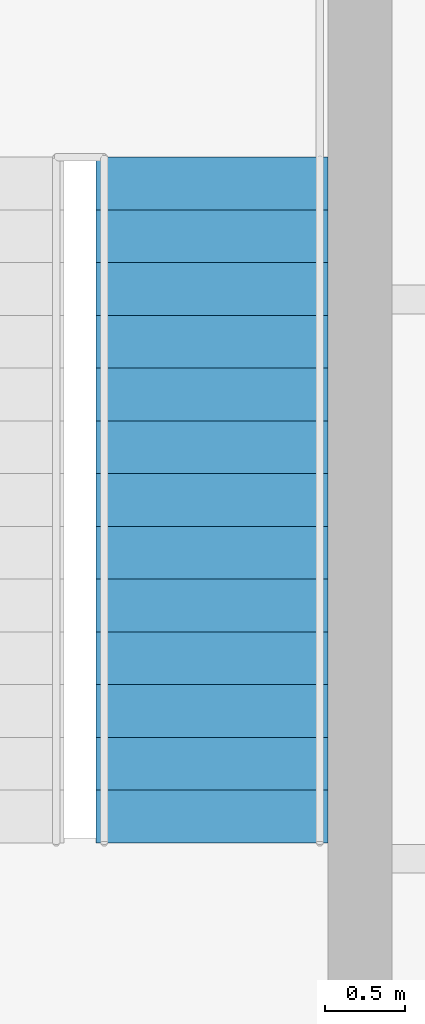
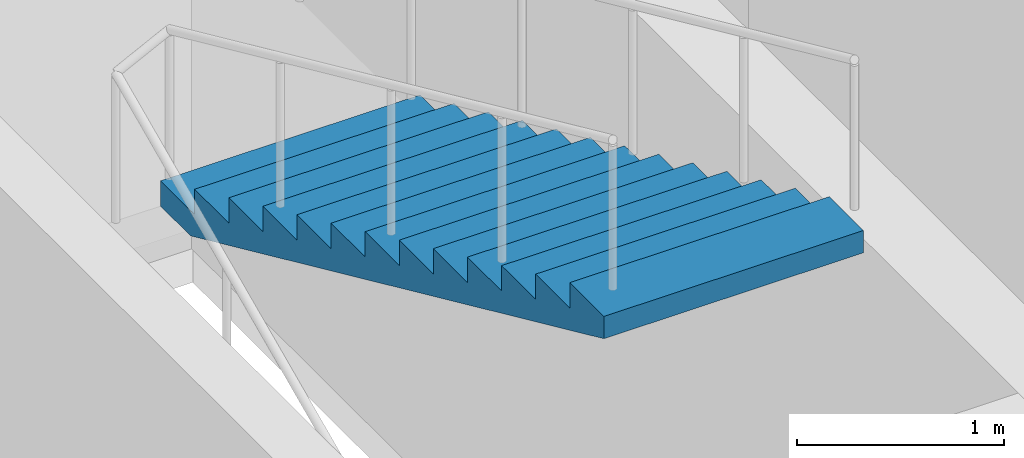
# One storey, part 9 of 10: 1 stair flight, 1 element without a shape of its own.
"""IFC4 building model written with IfcOpenShell, lengths in metres."""

import ifcopenshell
import ifcopenshell.guid

model = None  # the IFC model being written
_history = None  # IfcOwnerHistory: only IFC2X3 demands one
_inside = {}  # id of a spatial element -> (the spatial element, [elements in it])
_under = {}  # id of a project, library or spatial element -> (it, [spatial elements below it])
_declared = {}  # id of a project -> (the project, [libraries it declares])
_typed = {}  # id of a type object -> (the type object, [elements of that type])
_made_of = {}  # id of a material, layer set ... -> (it, [elements and type objects made of it])


def new_model(schema):
    """Start an empty IFC model of exactly this schema.

    Asked for "IFC4X3", IfcOpenShell would pick the latest addendum, in which some entities
    have other attributes; the version numbers below select the first issue.
    IFC2X3 requires an IfcOwnerHistory on every rooted entity: one is made here for all.
    """
    global model, _history
    if schema == "IFC4X3":
        model = ifcopenshell.file(schema_version=(4, 3, 0, 0))
    else:
        model = ifcopenshell.file(schema=schema)
    _inside.clear()
    _under.clear()
    _declared.clear()
    _typed.clear()
    _made_of.clear()
    _history = None
    if model.schema == "IFC2X3":
        org = make("IfcOrganization", Name="unknown")
        user = make(
            "IfcPersonAndOrganization",
            ThePerson=make("IfcPerson", FamilyName="unknown"),
            TheOrganization=org,
        )
        app = make(
            "IfcApplication",
            ApplicationDeveloper=org,
            Version="unknown",
            ApplicationFullName="unknown",
            ApplicationIdentifier="unknown",
        )
        _history = make(
            "IfcOwnerHistory",
            OwningUser=user,
            OwningApplication=app,
            ChangeAction="ADDED",
            CreationDate=0,
        )
    return model


def make(cls, **values):
    """One entity of the class cls with the attributes given. An attribute that is None is left unset."""
    return model.create_entity(
        cls, **{name: value for name, value in values.items() if value is not None}
    )


def rooted(cls, **values):
    """An entity with a GlobalId (a new one), such as an element, a storey or a relation."""
    return make(cls, GlobalId=ifcopenshell.guid.new(), OwnerHistory=_history, **values)


def si_unit(unit_type, name, prefix=None):
    """IfcSIUnit, for example si_unit("LENGTHUNIT", "METRE", prefix="MILLI")."""
    return make("IfcSIUnit", UnitType=unit_type, Prefix=prefix, Name=name)


def assignment(units):
    """IfcUnitAssignment: the units of a project."""
    return None if units is None else make("IfcUnitAssignment", Units=units)


def point(xyz):
    """IfcCartesianPoint."""
    return None if xyz is None else make("IfcCartesianPoint", Coordinates=xyz)


def direction(xyz):
    """IfcDirection."""
    return None if xyz is None else make("IfcDirection", DirectionRatios=xyz)


def frame(location, z_axis=None, x_axis=None):
    """IfcAxis2Placement3D, a coordinate frame: its origin and axes. An axis left out is left unset."""
    return make(
        "IfcAxis2Placement3D",
        Location=point(location),
        Axis=direction(z_axis),
        RefDirection=direction(x_axis),
    )


def origin():
    """The frame at (0, 0, 0) with its axes left unset."""
    return frame((0.0, 0.0, 0.0))


def place(relative_to, where):
    """IfcLocalPlacement: puts the frame where relative to a parent placement (None: the world)."""
    return make(
        "IfcLocalPlacement", PlacementRelTo=relative_to, RelativePlacement=where
    )


def context(
    kind, dimensions, precision=None, world=None, true_north=None, identifier=None
):
    """IfcGeometricRepresentationContext, for example the 3D "Model" context."""
    return make(
        "IfcGeometricRepresentationContext",
        ContextIdentifier=identifier,
        ContextType=kind,
        CoordinateSpaceDimension=dimensions,
        Precision=precision,
        WorldCoordinateSystem=world,
        TrueNorth=true_north,
    )


def subcontext(parent, identifier, kind, view, scale=None):
    """IfcGeometricRepresentationSubContext, for example "Body" below "Model"."""
    return make(
        "IfcGeometricRepresentationSubContext",
        ContextIdentifier=identifier,
        ContextType=kind,
        ParentContext=parent,
        TargetScale=scale,
        TargetView=view,
    )


def project(units=None, contexts=None):
    """IfcProject with its units and contexts."""
    return rooted(
        "IfcProject",
        Name="project",
        RepresentationContexts=contexts,
        UnitsInContext=assignment(units),
    )


def spatial(cls, under=None, at=None, **own):
    """A site, building, storey or space (cls), placed at a placement, below another one or the project."""
    s = rooted(cls, ObjectPlacement=at, **own)
    if under is not None:
        _under.setdefault(under.id(), (under, []))[1].append(s)
    return s


def point_list(points):
    """IfcCartesianPointList2D or 3D."""
    cls = (
        "IfcCartesianPointList2D" if len(points[0]) == 2 else "IfcCartesianPointList3D"
    )
    return make(cls, CoordList=points)


def polygons(points, faces, closed=None, point_numbers=None):
    """IfcPolygonalFaceSet: a face is its outer loop, then its inner loops; points numbered from 1."""
    made = []
    for loops in faces:
        if len(loops) == 1:
            made.append(make("IfcIndexedPolygonalFace", CoordIndex=loops[0]))
        else:
            made.append(
                make(
                    "IfcIndexedPolygonalFaceWithVoids",
                    CoordIndex=loops[0],
                    InnerCoordIndices=loops[1:],
                )
            )
    return make(
        "IfcPolygonalFaceSet",
        Coordinates=point_list(points),
        Closed=closed,
        Faces=made,
        PnIndex=point_numbers,
    )


def shape(context_of_items, identifier, shape_type, items):
    """IfcShapeRepresentation: the items that make up one representation, for example the "Body"."""
    return make(
        "IfcShapeRepresentation",
        ContextOfItems=context_of_items,
        RepresentationIdentifier=identifier,
        RepresentationType=shape_type,
        Items=items,
    )


def material(Name=None, Category=None):
    """IfcMaterial."""
    return make("IfcMaterial", Name=Name, Category=Category)


def made_of(thing, what):
    """Note that an element or type object is made of a material, layer set ...; save() writes the relation."""
    if what is not None:
        _made_of.setdefault(what.id(), (what, []))[1].append(thing)
    return thing


def type_object(cls, material=None, **own):
    """A type object (cls), such as IfcWallType, which elements share."""
    return made_of(rooted(cls, **own), material)


def element(
    cls,
    number,
    at=None,
    inside=None,
    cuts=None,
    type_object=None,
    material=None,
    context=None,
    identifier="Body",
    shape_type=None,
    held_by="IfcProductDefinitionShape",
    body=None,
    shapes=None,
    **own,
):
    """One element of the class cls, such as IfcWall. Its Tag is "e" and its number.

    at: its placement. inside: the storey or other place that contains it. cuts: it is an
    opening in that element (IfcRelVoidsElement). A single representation is given by context,
    identifier, shape_type and body (its items); several are given by shapes. held_by: the class
    of the entity that holds the representations. save() writes the other relations.
    """
    e = rooted(cls, Tag="e%d" % number, ObjectPlacement=at, **own)
    if body is not None:
        shapes = [shape(context, identifier, shape_type, body)]
    if shapes is not None:
        e.Representation = make(held_by, Representations=shapes)
    if inside is not None:
        _inside.setdefault(inside.id(), (inside, []))[1].append(e)
    if cuts is not None:
        rooted(
            "IfcRelVoidsElement", RelatingBuildingElement=cuts, RelatedOpeningElement=e
        )
    if type_object is not None:
        _typed.setdefault(type_object.id(), (type_object, []))[1].append(e)
    return made_of(e, material)


def aggregate(whole, parts):
    """IfcRelAggregates: a whole, such as a stair, and the parts it consists of."""
    return rooted("IfcRelAggregates", RelatingObject=whole, RelatedObjects=parts)


def save(model, path):
    """Write the relations noted so far, then the file.

    IfcRelAggregates (storeys below a building ...), IfcRelContainedInSpatialStructure (elements
    in a storey), IfcRelDefinesByType, IfcRelAssociatesMaterial and IfcRelDeclares: one each for
    every whole, place, type object, material and project.
    """
    for whole, parts in _under.values():
        aggregate(whole, parts)
    for where, things in _inside.values():
        rooted(
            "IfcRelContainedInSpatialStructure",
            RelatedElements=things,
            RelatingStructure=where,
        )
    for kind, things in _typed.values():
        rooted("IfcRelDefinesByType", RelatedObjects=things, RelatingType=kind)
    for what, things in _made_of.values():
        rooted("IfcRelAssociatesMaterial", RelatedObjects=things, RelatingMaterial=what)
    for by, libraries in _declared.values():
        rooted("IfcRelDeclares", RelatingContext=by, RelatedDefinitions=libraries)
    model.write(path)


model = new_model("IFC4")

# Units and contexts
model_context = context("Model", 3, precision=1e-05, world=origin(), true_north=direction((0.0, 1.0)))
body_context = subcontext(model_context, "Body", "Model", "MODEL_VIEW")
ifc_project = project(units=[si_unit("LENGTHUNIT", "METRE"), si_unit("AREAUNIT", "SQUARE_METRE"), si_unit("VOLUMEUNIT", "CUBIC_METRE"), si_unit("PLANEANGLEUNIT", "RADIAN"), si_unit("MASSUNIT", "GRAM", prefix="KILO")], contexts=[model_context])

# Site, building, storey
site_placement = place(None, origin())
site = spatial("IfcSite", under=ifc_project, at=site_placement, CompositionType="ELEMENT")
building_placement = place(site_placement, origin())
building = spatial("IfcBuilding", under=site, at=building_placement, Name="Njiva Tower", CompositionType="ELEMENT")
storey_placement = place(building_placement, frame((0.0, 0.0, 333.6)))
storey = spatial("IfcBuildingStorey", under=building, at=storey_placement, Name="L76", CompositionType="ELEMENT", Elevation=333.6)

# Stair, stair flight
ifc_material = material(Name="Concrete C40/50", Category="concrete")
stair_type = type_object("IfcStairType", Name="ST3 Exit stair 1450", PredefinedType="HALF_TURN_STAIR", material=ifc_material)
stair_placement = place(storey_placement, origin())
stair = element("IfcStair", 1, at=stair_placement, inside=storey, type_object=stair_type, Name="Stair B", PredefinedType="HALF_TURN_STAIR")
stair_flight_type = type_object("IfcStairFlightType", Name="FL3 Stair flight 1450", PredefinedType="STRAIGHT", material=ifc_material)
stair_flight_placement = place(storey_placement, frame((13.375, 15.39, 2.1), z_axis=(0.0, 0.0, 1.0), x_axis=(0.0, -1.0, 0.0)))
stair_flight = element("IfcStairFlight", 2, at=stair_flight_placement, type_object=stair_flight_type, Name="ST-B flight 2", NumberOfRisers=14, NumberOfTreads=13, PredefinedType="STRAIGHT", RiserHeight=0.15, TreadLength=0.33, context=body_context, shape_type="Tessellation", body=[
    polygons([(0.0, 0.725, 0.0), (0.0, 0.3625, 0.0), (0.0, 0.0, 0.0), (0.0, -0.3625, 0.0), (0.0, -0.725, 0.0), (0.0, 0.725, 0.15), (0.0, 0.3625, 0.15), (0.0, 0.0, 0.15), (0.0, -0.3625, 0.15), (0.0, -0.725, 0.15), (0.33, 0.725, 0.15), (0.33, 0.3625, 0.15), (0.33, 0.0, 0.15), (0.33, -0.3625, 0.15), (0.33, -0.725, 0.15), (0.33, 0.725, 0.3), (0.33, 0.3625, 0.3), (0.33, 0.0, 0.3), (0.33, -0.3625, 0.3), (0.33, -0.725, 0.3), (0.66, 0.725, 0.3), (0.66, 0.3625, 0.3), (0.66, 0.0, 0.3), (0.66, -0.3625, 0.3), (0.66, -0.725, 0.3), (0.66, 0.725, 0.45), (0.66, 0.3625, 0.45), (0.66, 0.0, 0.45), (0.66, -0.3625, 0.45), (0.66, -0.725, 0.45), (0.99, 0.725, 0.45), (0.99, 0.3625, 0.45), (0.99, 0.0, 0.45), (0.99, -0.3625, 0.45), (0.99, -0.725, 0.45), (0.99, 0.725, 0.6), (0.99, 0.3625, 0.6), (0.99, 0.0, 0.6), (0.99, -0.3625, 0.6), (0.99, -0.725, 0.6), (1.32, 0.725, 0.6), (1.32, 0.3625, 0.6), (1.32, 0.0, 0.6), (1.32, -0.3625, 0.6), (1.32, -0.725, 0.6), (1.32, 0.725, 0.75), (1.32, 0.3625, 0.75), (1.32, 0.0, 0.75), (1.32, -0.3625, 0.75), (1.32, -0.725, 0.75), (1.65, 0.725, 0.75), (1.65, 0.3625, 0.75), (1.65, 0.0, 0.75), (1.65, -0.3625, 0.75), (1.65, -0.725, 0.75), (1.65, 0.725, 0.9), (1.65, 0.3625, 0.9), (1.65, 0.0, 0.9), (1.65, -0.3625, 0.9), (1.65, -0.725, 0.9), (1.98, 0.725, 0.9), (1.98, 0.3625, 0.9), (1.98, 0.0, 0.9), (1.98, -0.3625, 0.9), (1.98, -0.725, 0.9), (1.98, 0.725, 1.05), (1.98, 0.3625, 1.05), (1.98, 0.0, 1.05), (1.98, -0.3625, 1.05), (1.98, -0.725, 1.05), (2.31, 0.725, 1.05), (2.31, 0.3625, 1.05), (2.31, 0.0, 1.05), (2.31, -0.3625, 1.05), (2.31, -0.725, 1.05), (2.31, 0.725, 1.2), (2.31, 0.3625, 1.2), (2.31, 0.0, 1.2), (2.31, -0.3625, 1.2), (2.31, -0.725, 1.2), (2.64, 0.725, 1.2), (2.64, 0.3625, 1.2), (2.64, 0.0, 1.2), (2.64, -0.3625, 1.2), (2.64, -0.725, 1.2), (2.64, 0.725, 1.35), (2.64, 0.3625, 1.35), (2.64, 0.0, 1.35), (2.64, -0.3625, 1.35), (2.64, -0.725, 1.35), (2.97, 0.725, 1.35), (2.97, 0.3625, 1.35), (2.97, 0.0, 1.35), (2.97, -0.3625, 1.35), (2.97, -0.725, 1.35), (2.97, 0.725, 1.5), (2.97, 0.3625, 1.5), (2.97, 0.0, 1.5), (2.97, -0.3625, 1.5), (2.97, -0.725, 1.5), (3.3, 0.725, 1.5), (3.3, 0.3625, 1.5), (3.3, 0.0, 1.5), (3.3, -0.3625, 1.5), (3.3, -0.725, 1.5), (3.3, 0.725, 1.65), (3.3, 0.3625, 1.65), (3.3, 0.0, 1.65), (3.3, -0.3625, 1.65), (3.3, -0.725, 1.65), (3.63, 0.725, 1.65), (3.63, 0.3625, 1.65), (3.63, 0.0, 1.65), (3.63, -0.3625, 1.65), (3.63, -0.725, 1.65), (3.63, 0.725, 1.8), (3.63, 0.3625, 1.8), (3.63, 0.0, 1.8), (3.63, -0.3625, 1.8), (3.63, -0.725, 1.8), (3.96, 0.725, 1.8), (3.96, 0.3625, 1.8), (3.96, 0.0, 1.8), (3.96, -0.3625, 1.8), (3.96, -0.725, 1.8), (3.96, 0.725, 1.95), (3.96, 0.3625, 1.95), (3.96, 0.0, 1.95), (3.96, -0.3625, 1.95), (3.96, -0.725, 1.95), (4.29, 0.725, 1.95), (4.29, 0.3625, 1.95), (4.29, 0.0, 1.95), (4.29, -0.3625, 1.95), (4.29, -0.725, 1.95), (4.29, 0.725, 1.8182), (4.29, 0.3625, 1.8182), (4.29, 0.0, 1.8182), (4.29, -0.3625, 1.8182), (4.29, -0.725, 1.8182), (0.29, 0.725, 0.0), (0.29, 0.3625, 0.0), (0.29, 0.0, 0.0), (0.29, -0.3625, 0.0), (0.29, -0.725, 0.0)], [[[1, 6, 11, 16, 21, 26, 31, 36, 41, 46, 51, 56, 61, 66, 71, 76, 81, 86, 91, 96, 101, 106, 111, 116, 121, 126, 131, 136, 141]], [[145, 140, 135, 130, 125, 120, 115, 110, 105, 100, 95, 90, 85, 80, 75, 70, 65, 60, 55, 50, 45, 40, 35, 30, 25, 20, 15, 10, 5]], [[6, 1, 2, 7]], [[7, 2, 3, 8]], [[8, 3, 4, 9]], [[9, 4, 5, 10]], [[11, 6, 7, 12]], [[12, 7, 8, 13]], [[13, 8, 9, 14]], [[14, 9, 10, 15]], [[16, 11, 12, 17]], [[17, 12, 13, 18]], [[18, 13, 14, 19]], [[19, 14, 15, 20]], [[21, 16, 17, 22]], [[22, 17, 18, 23]], [[23, 18, 19, 24]], [[24, 19, 20, 25]], [[26, 21, 22, 27]], [[27, 22, 23, 28]], [[28, 23, 24, 29]], [[29, 24, 25, 30]], [[31, 26, 27, 32]], [[32, 27, 28, 33]], [[33, 28, 29, 34]], [[34, 29, 30, 35]], [[36, 31, 32, 37]], [[37, 32, 33, 38]], [[38, 33, 34, 39]], [[39, 34, 35, 40]], [[41, 36, 37, 42]], [[42, 37, 38, 43]], [[43, 38, 39, 44]], [[44, 39, 40, 45]], [[46, 41, 42, 47]], [[47, 42, 43, 48]], [[48, 43, 44, 49]], [[49, 44, 45, 50]], [[51, 46, 47, 52]], [[52, 47, 48, 53]], [[53, 48, 49, 54]], [[54, 49, 50, 55]], [[56, 51, 52, 57]], [[57, 52, 53, 58]], [[58, 53, 54, 59]], [[59, 54, 55, 60]], [[61, 56, 57, 62]], [[62, 57, 58, 63]], [[63, 58, 59, 64]], [[64, 59, 60, 65]], [[66, 61, 62, 67]], [[67, 62, 63, 68]], [[68, 63, 64, 69]], [[69, 64, 65, 70]], [[71, 66, 67, 72]], [[72, 67, 68, 73]], [[73, 68, 69, 74]], [[74, 69, 70, 75]], [[76, 71, 72, 77]], [[77, 72, 73, 78]], [[78, 73, 74, 79]], [[79, 74, 75, 80]], [[81, 76, 77, 82]], [[82, 77, 78, 83]], [[83, 78, 79, 84]], [[84, 79, 80, 85]], [[86, 81, 82, 87]], [[87, 82, 83, 88]], [[88, 83, 84, 89]], [[89, 84, 85, 90]], [[91, 86, 87, 92]], [[92, 87, 88, 93]], [[93, 88, 89, 94]], [[94, 89, 90, 95]], [[96, 91, 92, 97]], [[97, 92, 93, 98]], [[98, 93, 94, 99]], [[99, 94, 95, 100]], [[101, 96, 97, 102]], [[102, 97, 98, 103]], [[103, 98, 99, 104]], [[104, 99, 100, 105]], [[106, 101, 102, 107]], [[107, 102, 103, 108]], [[108, 103, 104, 109]], [[109, 104, 105, 110]], [[111, 106, 107, 112]], [[112, 107, 108, 113]], [[113, 108, 109, 114]], [[114, 109, 110, 115]], [[116, 111, 112, 117]], [[117, 112, 113, 118]], [[118, 113, 114, 119]], [[119, 114, 115, 120]], [[121, 116, 117, 122]], [[122, 117, 118, 123]], [[123, 118, 119, 124]], [[124, 119, 120, 125]], [[126, 121, 122, 127]], [[127, 122, 123, 128]], [[128, 123, 124, 129]], [[129, 124, 125, 130]], [[131, 126, 127, 132]], [[132, 127, 128, 133]], [[133, 128, 129, 134]], [[134, 129, 130, 135]], [[136, 131, 132, 137]], [[137, 132, 133, 138]], [[138, 133, 134, 139]], [[139, 134, 135, 140]], [[141, 136, 137, 142]], [[142, 137, 138, 143]], [[143, 138, 139, 144]], [[144, 139, 140, 145]], [[1, 141, 142, 2]], [[2, 142, 143, 3]], [[3, 143, 144, 4]], [[4, 144, 145, 5]]], closed=True),
])
aggregate(stair, [stair_flight])

save(model, "model.ifc")
